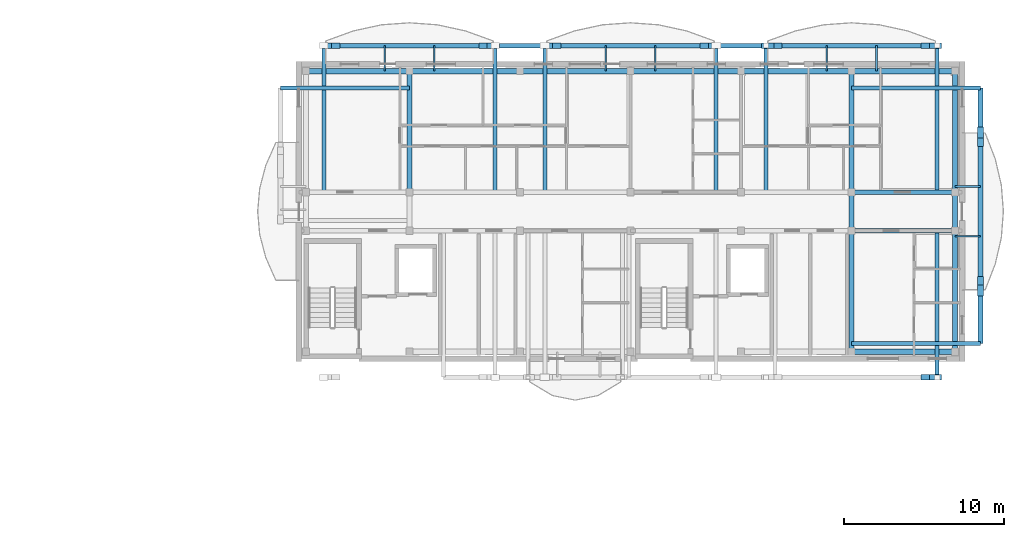
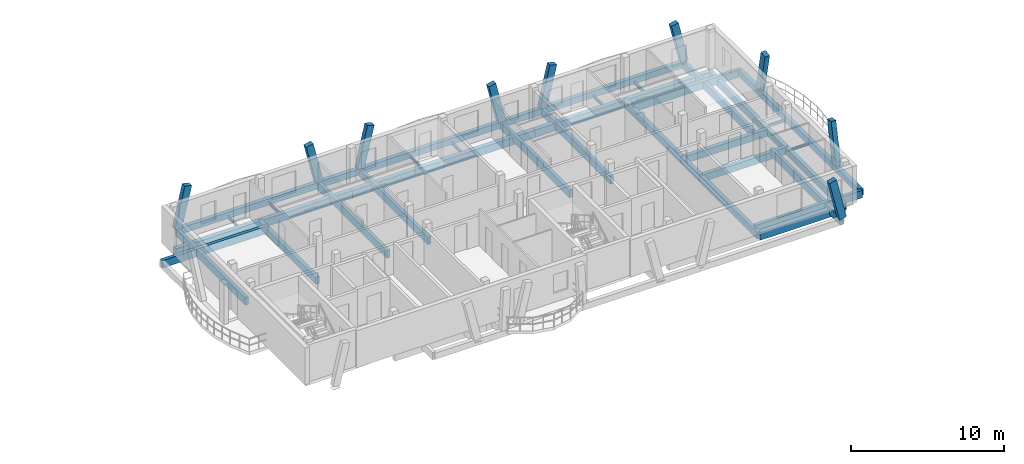
# One storey, part 8 of 42: 36 beams, 9 members.
"""IFC4 building model written with IfcOpenShell, lengths in metres."""

from ifc_helpers import new_model, si_unit, direction, frame, origin, origin_2d, place, context, subcontext, project, spatial, rectangle, i_section, extrude, material, material_profile, profile_set, type_object, element, save


model = new_model("IFC4")

# Units and contexts
model_context = context("Model", 3, precision=1e-05, world=origin(), true_north=direction((0.0, 1.0)))
body_context = subcontext(model_context, "Body", "Model", "MODEL_VIEW")
ifc_project = project(units=[si_unit("LENGTHUNIT", "METRE"), si_unit("AREAUNIT", "SQUARE_METRE"), si_unit("VOLUMEUNIT", "CUBIC_METRE"), si_unit("PLANEANGLEUNIT", "RADIAN"), si_unit("MASSUNIT", "GRAM", prefix="KILO")], contexts=[model_context])

# Site, building, storey
site_placement = place(None, origin())
site = spatial("IfcSite", under=ifc_project, at=site_placement, CompositionType="ELEMENT")
building_placement = place(site_placement, origin())
building = spatial("IfcBuilding", under=site, at=building_placement, Name="Zavelmont Quarter", CompositionType="ELEMENT")
storey_placement = place(building_placement, frame((0.0, 0.0, 24.0)))
storey = spatial("IfcBuildingStorey", under=building, at=storey_placement, Name="L07", CompositionType="ELEMENT", Elevation=24.0)

# Beams
ifc_material_1 = material(Name="Concrete C35/45", Category="concrete")
ifc_material_profile_1 = material_profile(ifc_material_1, rectangle(XDim=0.35009765625, YDim=0.60009765625, at=origin_2d()), Name="RC350X600")
ifc_profile_set_1 = profile_set([ifc_material_profile_1], Name="Concrete C35/45")
beam_type_1 = type_object("IfcBeamType", Name="BM01", PredefinedType="SPANDREL", material=ifc_profile_set_1)
for number, where, z_axis, x_axis, name in (
    (1, (161.10009765625, 98.0400390625, -0.550048828125), (1.0, 0.0, 0.0), (0.0, 1.0, 0.0), "L07 beam BM01 24/P to 25/P"),
    (2, (127.0400390625, 115.56005859375, -0.550048828125), (1.0, 0.0, 0.0), (0.0, 1.0, 0.0), "L07 beam BM01 19/S to 20/S"),
):
    element("IfcBeam", number, at=place(storey_placement, frame(where, z_axis=z_axis, x_axis=x_axis)), inside=storey, type_object=beam_type_1, Name=name, PredefinedType="SPANDREL", context=body_context, shape_type="SweptSolid", body=[
        extrude(rectangle(XDim=0.35009765625, YDim=0.60009765625, at=origin_2d()), origin(), (0.0, 0.0, 1.0), 6.4599609375),
    ])
beam_1_placement = place(storey_placement, frame((133.5, 115.56005859375, -0.550048828125), z_axis=(1.0, 0.0, 0.0), x_axis=(0.0, 1.0, 0.0)))
element("IfcBeam", 3, at=beam_1_placement, inside=storey, type_object=beam_type_1, Name="L07 beam BM01 20/S to 21/S", PredefinedType="SPANDREL", context=body_context, shape_type="SweptSolid", body=[
    extrude(rectangle(XDim=0.35009765625, YDim=0.60009765625, at=origin_2d()), origin(), (0.0, 0.0, 1.0), 6.89990234375),
])
beam_2_placement = place(storey_placement, frame((140.39990234375, 115.56005859375, -0.550048828125), z_axis=(1.0, 0.0, 0.0), x_axis=(0.0, 1.0, 0.0)))
element("IfcBeam", 4, at=beam_2_placement, inside=storey, type_object=beam_type_1, Name="L07 beam BM01 21/S to 22/S", PredefinedType="SPANDREL", context=body_context, shape_type="SweptSolid", body=[
    extrude(rectangle(XDim=0.35009765625, YDim=0.60009765625, at=origin_2d()), origin(), (0.0, 0.0, 1.0), 6.900146484375),
])
beam_3_placement = place(storey_placement, frame((147.300048828125, 115.56005859375, -0.550048828125), z_axis=(1.0, 0.0, 0.0), x_axis=(0.0, 1.0, 0.0)))
element("IfcBeam", 5, at=beam_3_placement, inside=storey, type_object=beam_type_1, Name="L07 beam BM01 22/S to 23/S", PredefinedType="SPANDREL", context=body_context, shape_type="SweptSolid", body=[
    extrude(rectangle(XDim=0.35009765625, YDim=0.60009765625, at=origin_2d()), origin(), (0.0, 0.0, 1.0), 6.89990234375),
])
beam_4_placement = place(storey_placement, frame((154.199951171875, 115.56005859375, -0.550048828125), z_axis=(1.0, 0.0, 0.0), x_axis=(0.0, 1.0, 0.0)))
element("IfcBeam", 6, at=beam_4_placement, inside=storey, type_object=beam_type_1, Name="L07 beam BM01 23/S to 24/S", PredefinedType="SPANDREL", context=body_context, shape_type="SweptSolid", body=[
    extrude(rectangle(XDim=0.35009765625, YDim=0.60009765625, at=origin_2d()), origin(), (0.0, 0.0, 1.0), 6.900146484375),
])
beam_5_placement = place(storey_placement, frame((161.10009765625, 115.56005859375, -0.550048828125), z_axis=(1.0, 0.0, 0.0), x_axis=(0.0, 1.0, 0.0)))
element("IfcBeam", 7, at=beam_5_placement, inside=storey, type_object=beam_type_1, Name="L07 beam BM01 24/S to 25/S", PredefinedType="SPANDREL", context=body_context, shape_type="SweptSolid", body=[
    extrude(rectangle(XDim=0.35009765625, YDim=0.60009765625, at=origin_2d()), origin(), (0.0, 0.0, 1.0), 6.4599609375),
])
ifc_material_profile_2 = material_profile(ifc_material_1, rectangle(XDim=0.300048828125, YDim=0.550048828125, at=origin_2d()), Name="RC300X550")
ifc_profile_set_2 = profile_set([ifc_material_profile_2], Name="Concrete C35/45")
beam_type_2 = type_object("IfcBeamType", Name="BM02", PredefinedType="SPANDREL", material=ifc_profile_set_2)
for number, where, z_axis, x_axis, name in (
    (8, (161.10009765625, 105.60009765625, -0.52490234375), (1.0, 0.0, 0.0), (0.0, 1.0, 0.0), "L07 beam BM02 24/Q to 25/Q"),
    (9, (161.10009765625, 108.0, -0.52490234375), (1.0, 0.0, 0.0), (0.0, 1.0, 0.0), "L07 beam BM02 24/R to 25/R"),
):
    element("IfcBeam", number, at=place(storey_placement, frame(where, z_axis=z_axis, x_axis=x_axis)), inside=storey, type_object=beam_type_2, Name=name, PredefinedType="SPANDREL", context=body_context, shape_type="SweptSolid", body=[
        extrude(rectangle(XDim=0.300048828125, YDim=0.550048828125, at=origin_2d()), origin(), (0.0, 0.0, 1.0), 6.4599609375),
    ])
for number, where, z_axis, x_axis, name in (
    (10, (133.5, 108.0, -0.52490234375), (0.0, 1.0, 0.0), (-1.0, 0.0, 0.0), "L07 beam BM02 20/R to 20/S"),
    (11, (161.10009765625, 98.0400390625, -0.52490234375), (0.0, 1.0, 0.0), (-1.0, 0.0, 0.0), "L07 beam BM02 24/P to 24/Q"),
):
    element("IfcBeam", number, at=place(storey_placement, frame(where, z_axis=z_axis, x_axis=x_axis)), inside=storey, type_object=beam_type_2, Name=name, PredefinedType="SPANDREL", context=body_context, shape_type="SweptSolid", body=[
        extrude(rectangle(XDim=0.300048828125, YDim=0.550048828125, at=origin_2d()), origin(), (0.0, 0.0, 1.0), 7.56005859375),
    ])
beam_6_placement = place(storey_placement, frame((161.10009765625, 105.60009765625, -0.52490234375), z_axis=(0.0, 1.0, 0.0), x_axis=(-1.0, 0.0, 0.0)))
element("IfcBeam", 12, at=beam_6_placement, inside=storey, type_object=beam_type_2, Name="L07 beam BM02 24/Q to 24/R", PredefinedType="SPANDREL", context=body_context, shape_type="SweptSolid", body=[
    extrude(rectangle(XDim=0.300048828125, YDim=0.550048828125, at=origin_2d()), origin(), (0.0, 0.0, 1.0), 2.39990234375),
])
for number, where, z_axis, x_axis, name in (
    (13, (161.10009765625, 108.0, -0.52490234375), (0.0, 1.0, 0.0), (-1.0, 0.0, 0.0), "L07 beam BM02 24/R to 24/S"),
    (14, (167.56005859375, 98.0400390625, -0.52490234375), (0.0, 1.0, 0.0), (-1.0, 0.0, 0.0), "L07 beam BM02 25/P to 25/Q"),
):
    element("IfcBeam", number, at=place(storey_placement, frame(where, z_axis=z_axis, x_axis=x_axis)), inside=storey, type_object=beam_type_2, Name=name, PredefinedType="SPANDREL", context=body_context, shape_type="SweptSolid", body=[
        extrude(rectangle(XDim=0.300048828125, YDim=0.550048828125, at=origin_2d()), origin(), (0.0, 0.0, 1.0), 7.56005859375),
    ])
beam_7_placement = place(storey_placement, frame((167.56005859375, 105.60009765625, -0.52490234375), z_axis=(0.0, 1.0, 0.0), x_axis=(-1.0, 0.0, 0.0)))
element("IfcBeam", 15, at=beam_7_placement, inside=storey, type_object=beam_type_2, Name="L07 beam BM02 25/Q to 25/R", PredefinedType="SPANDREL", context=body_context, shape_type="SweptSolid", body=[
    extrude(rectangle(XDim=0.300048828125, YDim=0.550048828125, at=origin_2d()), origin(), (0.0, 0.0, 1.0), 2.39990234375),
])
beam_8_placement = place(storey_placement, frame((167.56005859375, 108.0, -0.52490234375), z_axis=(0.0, 1.0, 0.0), x_axis=(-1.0, 0.0, 0.0)))
element("IfcBeam", 16, at=beam_8_placement, inside=storey, type_object=beam_type_2, Name="L07 beam BM02 25/R to 25/S", PredefinedType="SPANDREL", context=body_context, shape_type="SweptSolid", body=[
    extrude(rectangle(XDim=0.300048828125, YDim=0.550048828125, at=origin_2d()), origin(), (0.0, 0.0, 1.0), 7.56005859375),
])
ifc_material_profile_3 = material_profile(ifc_material_1, rectangle(XDim=0.300048828125, YDim=0.5, at=origin_2d()), Name="RC300X500")
ifc_profile_set_3 = profile_set([ifc_material_profile_3], Name="Concrete C35/45")
beam_type_3 = type_object("IfcBeamType", Name="BM03", PredefinedType="BEAM", material=ifc_profile_set_3)
beam_9_placement = place(storey_placement, frame((128.15087890625, 117.14990234375, -0.25), z_axis=(1.0, 0.0, 0.0), x_axis=(0.0, 1.0, 0.0)))
element("IfcBeam", 17, at=beam_9_placement, inside=storey, type_object=beam_type_3, Name="L07 beam BM03 19/S to 25/S", PredefinedType="BEAM", context=body_context, shape_type="SweptSolid", body=[
    extrude(rectangle(XDim=0.300048828125, YDim=0.5, at=origin_2d()), origin(), (0.0, 0.0, 1.0), 38.298095703125),
])
beam_10_placement = place(storey_placement, frame((169.14990234375, 98.550048828125, -0.25), z_axis=(0.0, 1.0, 0.0), x_axis=(-1.0, 0.0, 0.0)))
element("IfcBeam", 18, at=beam_10_placement, inside=storey, type_object=beam_type_3, Name="L07 beam BM03 25/P to 25/S", PredefinedType="BEAM", context=body_context, shape_type="SweptSolid", body=[
    extrude(rectangle(XDim=0.300048828125, YDim=0.5, at=origin_2d()), origin(), (0.0, 0.0, 1.0), 15.949951171875),
])
ifc_material_2 = material(Name="Steel S355", Category="steel")
ifc_material_profile_4 = material_profile(ifc_material_2, i_section(OverallWidth=0.110107421875, OverallDepth=0.219970703125, WebThickness=0.005859375, FlangeThickness=0.00927734375, at=origin_2d()), Name="IPE 220")
ifc_profile_set_4 = profile_set([ifc_material_profile_4], Name="Steel S355")
beam_type_4 = type_object("IfcBeamType", Name="BM15", PredefinedType="JOIST", material=ifc_profile_set_4)
for number, where, z_axis, x_axis, name in (
    (19, (131.949951171875, 115.56005859375, -0.366943359375), (0.0, 1.0, 0.0), (-1.0, 0.0, 0.0), "L07 beam BM15 20/S to 20/S"),
    (20, (135.050048828125, 115.56005859375, -0.366943359375), (0.0, 1.0, 0.0), (-1.0, 0.0, 0.0), "L07 beam BM15 20/S to 20/S"),
    (21, (145.75, 115.56005859375, -0.362060546875), (0.0, 1.0, 0.0), (-1.0, 0.0, 0.0), "L07 beam BM15 22/S to 22/S"),
    (22, (148.85009765625, 115.56005859375, -0.362060546875), (0.0, 1.0, 0.0), (-1.0, 0.0, 0.0), "L07 beam BM15 22/S to 22/S"),
    (23, (159.550048828125, 115.56005859375, -0.362060546875), (0.0, 1.0, 0.0), (-1.0, 0.0, 0.0), "L07 beam BM15 24/S to 24/S"),
    (24, (162.64990234375, 115.56005859375, -0.362060546875), (0.0, 1.0, 0.0), (-1.0, 0.0, 0.0), "L07 beam BM15 24/S to 24/S"),
    (25, (167.56005859375, 105.25, -0.366943359375), (1.0, 0.0, 0.0), (0.0, 1.0, 0.0), "L07 beam BM15 25/Q to 25/Q"),
    (26, (167.56005859375, 108.35009765625, -0.366943359375), (1.0, 0.0, 0.0), (0.0, 1.0, 0.0), "L07 beam BM15 25/R to 25/R"),
):
    element("IfcBeam", number, at=place(storey_placement, frame(where, z_axis=z_axis, x_axis=x_axis)), inside=storey, type_object=beam_type_4, Name=name, PredefinedType="JOIST", context=body_context, shape_type="SweptSolid", body=[
        extrude(i_section(OverallWidth=0.110107421875, OverallDepth=0.219970703125, WebThickness=0.005859375, FlangeThickness=0.00927734375, at=origin_2d()), origin(), (0.0, 0.0, 1.0), 1.58984375),
    ])
ifc_material_3 = material(Name="Concrete C40/50", Category="concrete")
ifc_material_profile_5 = material_profile(ifc_material_3, rectangle(XDim=0.25, YDim=0.60009765625, at=origin_2d()), Name="RC250X600")
ifc_profile_set_5 = profile_set([ifc_material_profile_5], Name="Concrete C40/50")
beam_type_5 = type_object("IfcBeamType", Name="BM18", PredefinedType="BEAM", material=ifc_profile_set_5)
for number, where, z_axis, x_axis, name in (
    (27, (128.15087890625, 108.0, -0.300048828125), (0.0, 1.0, 0.0), (-1.0, 0.0, 0.0), "L07 beam BM18 19/R to 19/S"),
    (28, (138.84912109375, 108.0, -0.300048828125), (0.0, 1.0, 0.0), (-1.0, 0.0, 0.0), "L07 beam BM18 21/R to 21/S"),
    (29, (141.950927734375, 108.0, -0.300048828125), (0.0, 1.0, 0.0), (-1.0, 0.0, 0.0), "L07 beam BM18 21/R to 21/S"),
    (30, (152.649169921875, 108.0, -0.300048828125), (0.0, 1.0, 0.0), (-1.0, 0.0, 0.0), "L07 beam BM18 23/R to 23/S"),
    (31, (155.7509765625, 108.0, -0.300048828125), (0.0, 1.0, 0.0), (-1.0, 0.0, 0.0), "L07 beam BM18 23/R to 23/S"),
    (32, (166.44921875, 108.0, -0.300048828125), (0.0, 1.0, 0.0), (-1.0, 0.0, 0.0), "L07 beam BM18 25/R to 25/S"),
):
    element("IfcBeam", number, at=place(storey_placement, frame(where, z_axis=z_axis, x_axis=x_axis)), inside=storey, type_object=beam_type_5, Name=name, PredefinedType="BEAM", context=body_context, shape_type="SweptSolid", body=[
        extrude(rectangle(XDim=0.25, YDim=0.60009765625, at=origin_2d()), origin(), (0.0, 0.0, 1.0), 9.14990234375),
    ])
beam_11_placement = place(storey_placement, frame((166.44921875, 105.60009765625, -0.300048828125), z_axis=(0.0, -1.0, 0.0), x_axis=(1.0, 0.0, 0.0)))
element("IfcBeam", 33, at=beam_11_placement, inside=storey, type_object=beam_type_5, Name="L07 beam BM18 25/Q to 25/P", PredefinedType="BEAM", context=body_context, shape_type="SweptSolid", body=[
    extrude(rectangle(XDim=0.25, YDim=0.60009765625, at=origin_2d()), origin(), (0.0, 0.0, 1.0), 9.150146484375),
])
for number, where, z_axis, x_axis, name in (
    (34, (161.10009765625, 98.550048828125, -0.300048828125), (1.0, 0.0, 0.0), (0.0, 1.0, 0.0), "L07 beam BM18 24/P to 25/P"),
    (35, (161.10009765625, 114.5, -0.300048828125), (1.0, 0.0, 0.0), (0.0, 1.0, 0.0), "L07 beam BM18 24/S to 25/S"),
):
    element("IfcBeam", number, at=place(storey_placement, frame(where, z_axis=z_axis, x_axis=x_axis)), inside=storey, type_object=beam_type_5, Name=name, PredefinedType="BEAM", context=body_context, shape_type="SweptSolid", body=[
        extrude(rectangle(XDim=0.25, YDim=0.60009765625, at=origin_2d()), origin(), (0.0, 0.0, 1.0), 8.0498046875),
    ])
beam_12_placement = place(storey_placement, frame((133.5, 114.5, -0.300048828125), z_axis=(-1.0, 0.0, 0.0), x_axis=(0.0, -1.0, 0.0)))
element("IfcBeam", 36, at=beam_12_placement, inside=storey, type_object=beam_type_5, Name="L07 beam BM18 20/S to 19/S", PredefinedType="BEAM", context=body_context, shape_type="SweptSolid", body=[
    extrude(rectangle(XDim=0.25, YDim=0.60009765625, at=origin_2d()), origin(), (0.0, 0.0, 1.0), 8.050048828125),
])

# Members
ifc_material_4 = material(Name="White architectural precast concrete C40/50", Category="concrete")
ifc_material_profile_6 = material_profile(ifc_material_4, rectangle(XDim=0.360107421875, YDim=0.5400390625, at=origin_2d()), Name="PCR280X420")
ifc_profile_set_6 = profile_set([ifc_material_profile_6], Name="White architectural precast concrete C40/50")
member_type = type_object("IfcMemberType", Name="VR02M", PredefinedType="CHORD", material=ifc_profile_set_6)
for number, where, z_axis, x_axis, name in (
    (37, (128.15087890625, 117.14990234375, 0.0), (0.230094494209, 0.0, 0.973168291579), (0.0, 1.0, 0.0), "L07 member VR02M 19/S to 19/S"),
    (38, (138.84912109375, 117.14990234375, 0.0), (-0.230094494209, 0.0, 0.973168291579), (0.0, -1.0, 0.0), "L07 member VR02M 21/S to 21/S"),
    (39, (141.950927734375, 117.14990234375, 0.0), (0.230094494209, 0.0, 0.973168291579), (0.0, 1.0, 0.0), "L07 member VR02M 21/S to 21/S"),
    (40, (152.649169921875, 117.14990234375, 0.0), (-0.230094494209, 0.0, 0.973168291579), (0.0, -1.0, 0.0), "L07 member VR02M 23/S to 23/S"),
    (41, (155.7509765625, 117.14990234375, 0.0), (0.230024175373, 0.0, 0.97318491498), (0.0, 1.0, 0.0), "L07 member VR02M 23/S to 23/S"),
    (42, (166.44921875, 117.14990234375, 0.0), (-0.230094494209, 0.0, 0.973168291579), (0.0, -1.0, 0.0), "L07 member VR02M 25/S to 25/S"),
    (43, (166.44921875, 96.449951171875, 0.0), (-0.230094494209, 0.0, 0.973168291579), (0.0, -1.0, 0.0), "L07 member VR02M 25/P to 25/P"),
):
    element("IfcMember", number, at=place(storey_placement, frame(where, z_axis=z_axis, x_axis=x_axis)), inside=storey, type_object=member_type, Name=name, PredefinedType="CHORD", context=body_context, shape_type="SweptSolid", body=[
        extrude(rectangle(XDim=0.360107421875, YDim=0.5400390625, at=origin_2d()), origin(), (0.0, 0.0, 1.0), 3.2880859375),
    ])
for number, where, z_axis, x_axis, name in (
    (44, (169.14990234375, 101.788818359375, 0.0), (0.0, 0.207627566723, 0.978207950048), (-1.0, 0.0, 0.0), "L07 member VR02M 25/Q to 25/Q"),
    (45, (169.14990234375, 111.811279296875, 0.0), (0.0, -0.207698980198, 0.9781927896), (1.0, 0.0, 0.0), "L07 member VR02M 25/R to 25/R"),
):
    element("IfcMember", number, at=place(storey_placement, frame(where, z_axis=z_axis, x_axis=x_axis)), inside=storey, type_object=member_type, Name=name, PredefinedType="CHORD", context=body_context, shape_type="SweptSolid", body=[
        extrude(rectangle(XDim=0.360107421875, YDim=0.5400390625, at=origin_2d()), origin(), (0.0, 0.0, 1.0), 3.271240234375),
    ])

save(model, "model.ifc")
